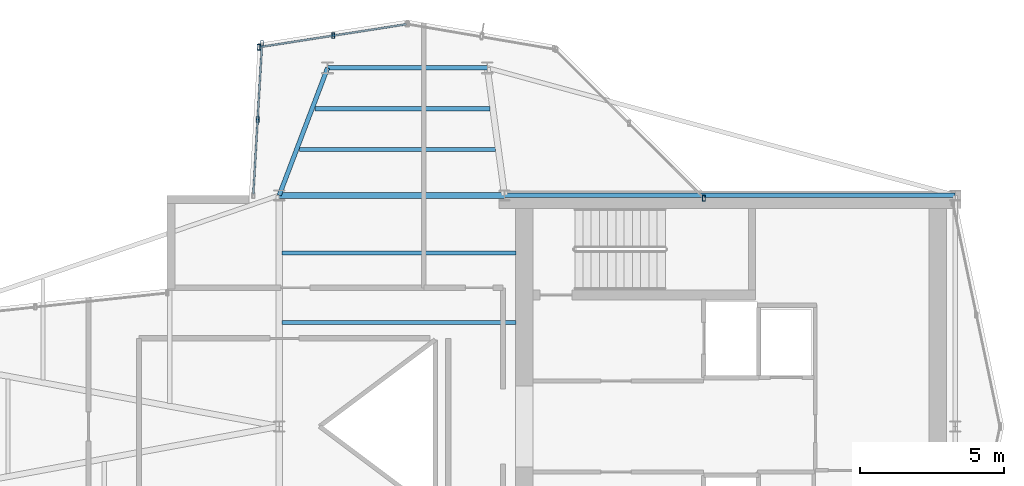
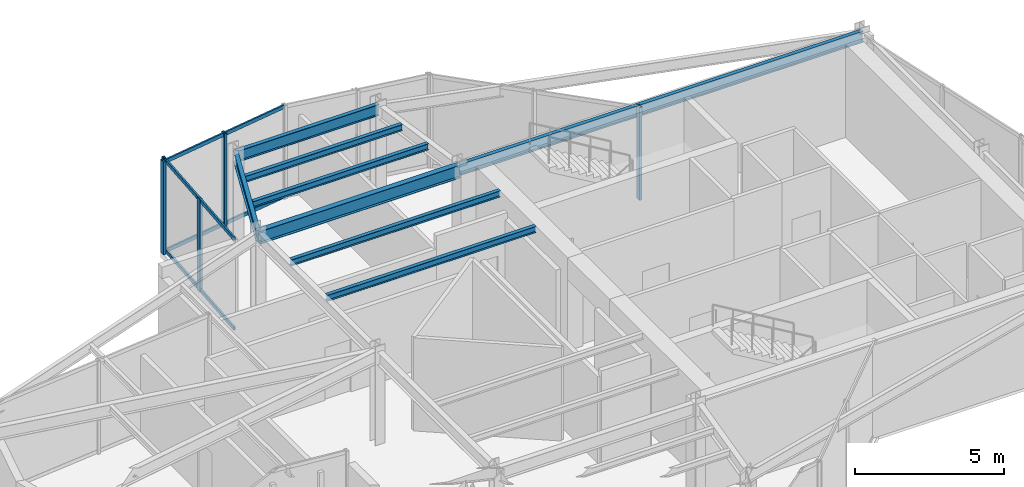
# One storey, part 5 of 13: 9 members, 8 beams, 3 elements without a shape of their own.
"""IFC4 building model written with IfcOpenShell, lengths in metres."""

from ifc_helpers import new_model, si_unit, direction, frame, origin, origin_2d, place, context, subcontext, project, spatial, hollow_rectangle, i_section, extrude, material, layer, layer_set, material_profile, profile_set, type_object, element, aggregate, save


model = new_model("IFC4")

# Units and contexts
model_context = context("Model", 3, precision=1e-05, world=origin(), true_north=direction((0.0, 1.0)))
body_context = subcontext(model_context, "Body", "Model", "MODEL_VIEW")
ifc_project = project(units=[si_unit("LENGTHUNIT", "METRE"), si_unit("AREAUNIT", "SQUARE_METRE"), si_unit("VOLUMEUNIT", "CUBIC_METRE"), si_unit("PLANEANGLEUNIT", "RADIAN"), si_unit("MASSUNIT", "GRAM", prefix="KILO")], contexts=[model_context])

# Site, building, storey
site_placement = place(None, origin())
site = spatial("IfcSite", under=ifc_project, at=site_placement, CompositionType="ELEMENT")
building_placement = place(site_placement, origin())
building = spatial("IfcBuilding", under=site, at=building_placement, Name="Veymaron Broadcast Tower", CompositionType="ELEMENT")
storey_placement = place(building_placement, frame((0.0, 0.0, 303.300048828125)))
storey = spatial("IfcBuildingStorey", under=building, at=storey_placement, Name="L71", CompositionType="ELEMENT", Elevation=303.300048828125)

# Beams
ifc_material_1 = material(Name="Structural steel ASTM A992 Gr 50", Category="steel")
ifc_material_profile_1 = material_profile(ifc_material_1, i_section(OverallWidth=0.208984375, OverallDepth=0.528076171875, WebThickness=0.009521484375, FlangeThickness=0.01318359375, at=origin_2d()), Name="W530X82")
ifc_profile_set_1 = profile_set([ifc_material_profile_1], Name="Structural steel ASTM A992 Gr 50")
beam_type_1 = type_object("IfcBeamType", Name="BM-FG4", PredefinedType="BEAM", material=ifc_profile_set_1)
beam_1_placement = place(storey_placement, frame((31.199951171875, 32.0, 3.5458984375), z_axis=(1.0, 0.0, 0.0), x_axis=(0.0, 1.0, 0.0)))
element("IfcBeam", 1, at=beam_1_placement, inside=storey, type_object=beam_type_1, Name="L71 primary structural floor girder", PredefinedType="BEAM", context=body_context, shape_type="SweptSolid", body=[
    extrude(i_section(OverallWidth=0.208984375, OverallDepth=0.528076171875, WebThickness=0.009521484375, FlangeThickness=0.01318359375, at=origin_2d()), origin(), (0.0, 0.0, 1.0), 7.800048828125),
])
ifc_material_profile_2 = material_profile(ifc_material_1, i_section(OverallWidth=0.14599609375, OverallDepth=0.258056640625, WebThickness=0.006103515625, FlangeThickness=0.009033203125, at=origin_2d()), Name="W250X33")
ifc_profile_set_2 = profile_set([ifc_material_profile_2], Name="Structural steel ASTM A992 Gr 50")
beam_type_2 = type_object("IfcBeamType", Name="BM-JS4", PredefinedType="JOIST", material=ifc_profile_set_2)
beam_2_placement = place(storey_placement, frame((31.90283203125, 33.58837890625, 3.680908203125), z_axis=(1.0, 0.0, 0.0), x_axis=(0.0, 1.0, 0.0)))
element("IfcBeam", 2, at=beam_2_placement, inside=storey, type_object=beam_type_2, Name="L71 Arm-B secondary joist 1", PredefinedType="JOIST", context=body_context, shape_type="SweptSolid", body=[
    extrude(i_section(OverallWidth=0.14599609375, OverallDepth=0.258056640625, WebThickness=0.006103515625, FlangeThickness=0.009033203125, at=origin_2d()), origin(), (0.0, 0.0, 1.0), 6.781982421875),
])
beam_3_placement = place(storey_placement, frame((32.438720703125, 35.000244140625, 3.680908203125), z_axis=(1.0, 0.0, 0.0), x_axis=(0.0, 1.0, 0.0)))
element("IfcBeam", 3, at=beam_3_placement, inside=storey, type_object=beam_type_2, Name="L71 Arm-B secondary joist 2", PredefinedType="JOIST", context=body_context, shape_type="SweptSolid", body=[
    extrude(i_section(OverallWidth=0.14599609375, OverallDepth=0.258056640625, WebThickness=0.006103515625, FlangeThickness=0.009033203125, at=origin_2d()), origin(), (0.0, 0.0, 1.0), 6.0546875),
])
for number, where, z_axis, x_axis, name in (
    (4, (31.300048828125, 27.60009765625, 3.680908203125), (1.0, 0.0, 0.0), (0.0, 1.0, 0.0), "L71 Hub secondary joist 3"),
    (5, (31.300048828125, 30.0, 3.680908203125), (1.0, 0.0, 0.0), (0.0, 1.0, 0.0), "L71 Hub secondary joist 4"),
):
    element("IfcBeam", number, at=place(storey_placement, frame(where, z_axis=z_axis, x_axis=x_axis)), inside=storey, type_object=beam_type_2, Name=name, PredefinedType="JOIST", context=body_context, shape_type="SweptSolid", body=[
        extrude(i_section(OverallWidth=0.14599609375, OverallDepth=0.258056640625, WebThickness=0.006103515625, FlangeThickness=0.009033203125, at=origin_2d()), origin(), (0.0, 0.0, 1.0), 8.099853515625),
    ])
ifc_material_profile_3 = material_profile(ifc_material_1, i_section(OverallWidth=0.154052734375, OverallDepth=0.458984375, WebThickness=0.009033203125, FlangeThickness=0.015380859375, at=origin_2d()), Name="W460X68")
ifc_profile_set_3 = profile_set([ifc_material_profile_3], Name="Structural steel ASTM A992 Gr 50")
beam_type_3 = type_object("IfcBeamType", Name="BM-SP2", PredefinedType="SPANDREL", material=ifc_profile_set_3)
beam_4_placement = place(storey_placement, frame((39.0, 32.0, 3.58056640625), z_axis=(1.0, 0.0, 0.0), x_axis=(0.0, 1.0, 0.0)))
element("IfcBeam", 6, at=beam_4_placement, inside=storey, type_object=beam_type_3, Name="L71 primary structural floor girder", PredefinedType="SPANDREL", context=body_context, shape_type="SweptSolid", body=[
    extrude(i_section(OverallWidth=0.154052734375, OverallDepth=0.458984375, WebThickness=0.009033203125, FlangeThickness=0.015380859375, at=origin_2d()), origin(), (0.0, 0.0, 1.0), 15.60009765625),
])
beam_5_placement = place(storey_placement, frame((31.199951171875, 32.0, 3.58056640625), z_axis=(0.354839811516, 0.934927113824, 0.0), x_axis=(-0.934927113824, 0.354839811516, 0.0)))
element("IfcBeam", 7, at=beam_5_placement, inside=storey, type_object=beam_type_3, Name="L71 primary structural floor girder", PredefinedType="SPANDREL", context=body_context, shape_type="SweptSolid", body=[
    extrude(i_section(OverallWidth=0.154052734375, OverallDepth=0.458984375, WebThickness=0.009033203125, FlangeThickness=0.015380859375, at=origin_2d()), origin(), (0.0, 0.0, 1.0), 4.71923828125),
])
beam_6_placement = place(storey_placement, frame((32.87451171875, 36.412109375, 3.58056640625), z_axis=(1.0, 0.0, 0.0), x_axis=(0.0, 1.0, 0.0)))
element("IfcBeam", 8, at=beam_6_placement, inside=storey, type_object=beam_type_3, Name="L71 primary structural floor girder", PredefinedType="SPANDREL", context=body_context, shape_type="SweptSolid", body=[
    extrude(i_section(OverallWidth=0.154052734375, OverallDepth=0.458984375, WebThickness=0.009033203125, FlangeThickness=0.015380859375, at=origin_2d()), origin(), (0.0, 0.0, 1.0), 5.527587890625),
])

# Curtain wall, member
ifc_material_2 = material(Name="Anodised aluminium AA 6063-T6 and laminated low-E dark glass", Category="aluminium")
ifc_layer = layer(ifc_material_2, 0.179931640625)
ifc_layer_set = layer_set([ifc_layer], Name="Anodised aluminium AA 6063-T6 and laminated low-E dark glass")
curtain_wall_type = type_object("IfcCurtainWallType", Name="CW-SYS-06", PredefinedType="NOTDEFINED", material=ifc_layer_set)
curtain_wall_1_placement = place(storey_placement, origin())
curtain_wall_1 = element("IfcCurtainWall", 9, at=curtain_wall_1_placement, inside=storey, type_object=curtain_wall_type, Name="L71 dark-glass curtain wall CW-L71-E5-1", PredefinedType="NOTDEFINED")
ifc_material_3 = material(Name="Anodised aluminium AA 6063-T6", Category="aluminium")
ifc_material_profile_4 = material_profile(ifc_material_3, hollow_rectangle(XDim=0.10009765625, YDim=0.199951171875, WallThickness=0.010009765625, at=origin_2d()), Name="RHS200X100X10")
ifc_profile_set_4 = profile_set([ifc_material_profile_4], Name="Anodised aluminium AA 6063-T6")
member_type_1 = type_object("IfcMemberType", Name="CW-MUL-01", PredefinedType="MULLION", material=ifc_profile_set_4)
member_1_placement = place(storey_placement, frame((45.900390625, 31.90087890625, 0.0), z_axis=(0.0, 0.0, 1.0), x_axis=(1.0, 0.0, 0.0)))
member_1 = element("IfcMember", 10, at=member_1_placement, type_object=member_type_1, Name="CW-L71-E5-1 mullion 0", PredefinedType="MULLION", context=body_context, shape_type="SweptSolid", body=[
    extrude(hollow_rectangle(XDim=0.10009765625, YDim=0.199951171875, WallThickness=0.010009765625, at=origin_2d()), origin(), (0.0, 0.0, 1.0), 3.81005859375),
])
aggregate(curtain_wall_1, [member_1])

# Curtain wall, members
curtain_wall_2_placement = place(storey_placement, origin())
curtain_wall_2 = element("IfcCurtainWall", 11, at=curtain_wall_2_placement, inside=storey, type_object=curtain_wall_type, Name="L71 dark-glass curtain wall CW-L71-E7-1", PredefinedType="NOTDEFINED")
member_2_placement = place(storey_placement, frame((33.072265625, 37.52880859375, 0.0), z_axis=(0.0, 0.0, 1.0), x_axis=(1.0, 0.0, 0.0)))
member_2 = element("IfcMember", 12, at=member_2_placement, type_object=member_type_1, Name="CW-L71-E7-1 mullion 1", PredefinedType="MULLION", context=body_context, shape_type="SweptSolid", body=[
    extrude(hollow_rectangle(XDim=0.10009765625, YDim=0.199951171875, WallThickness=0.010009765625, at=origin_2d()), origin(), (0.0, 0.0, 1.0), 3.81005859375),
])
member_3_placement = place(storey_placement, frame((30.48583984375, 37.126953125, 0.0), z_axis=(0.0, 0.0, 1.0), x_axis=(1.0, 0.0, 0.0)))
member_3 = element("IfcMember", 13, at=member_3_placement, type_object=member_type_1, Name="CW-L71-E7-1 mullion 2", PredefinedType="MULLION", context=body_context, shape_type="SweptSolid", body=[
    extrude(hollow_rectangle(XDim=0.10009765625, YDim=0.199951171875, WallThickness=0.010009765625, at=origin_2d()), origin(), (0.0, 0.0, 1.0), 3.81005859375),
])

curtain_wall_3_placement = place(storey_placement, origin())
curtain_wall_3 = element("IfcCurtainWall", 14, at=curtain_wall_3_placement, inside=storey, type_object=curtain_wall_type, Name="L71 dark-glass curtain wall CW-L71-E8-1", PredefinedType="NOTDEFINED")
member_4_placement = place(storey_placement, frame((30.60400390625, 37.257080078125, 0.0), z_axis=(0.0, 0.0, 1.0), x_axis=(1.0, 0.0, 0.0)))
member_4 = element("IfcMember", 15, at=member_4_placement, type_object=member_type_1, Name="CW-L71-E8-1 mullion 0", PredefinedType="MULLION", context=body_context, shape_type="SweptSolid", body=[
    extrude(hollow_rectangle(XDim=0.10009765625, YDim=0.199951171875, WallThickness=0.010009765625, at=origin_2d()), origin(), (0.0, 0.0, 1.0), 3.81005859375),
])
member_5_placement = place(storey_placement, frame((30.451904296875, 34.62451171875, 0.0), z_axis=(0.0, 0.0, 1.0), x_axis=(1.0, 0.0, 0.0)))
member_5 = element("IfcMember", 16, at=member_5_placement, type_object=member_type_1, Name="CW-L71-E8-1 mullion 1", PredefinedType="MULLION", context=body_context, shape_type="SweptSolid", body=[
    extrude(hollow_rectangle(XDim=0.10009765625, YDim=0.199951171875, WallThickness=0.010009765625, at=origin_2d()), origin(), (0.0, 0.0, 1.0), 3.81005859375),
])

# Member
ifc_material_profile_5 = material_profile(ifc_material_3, hollow_rectangle(XDim=0.06494140625, YDim=0.14990234375, WallThickness=0.00390625, at=origin_2d()), Name="AL150X65X4")
ifc_profile_set_5 = profile_set([ifc_material_profile_5], Name="Anodised aluminium AA 6063-T6")
member_type_2 = type_object("IfcMemberType", Name="CW-TRN-01", PredefinedType="USERDEFINED", material=ifc_profile_set_5)
member_6_placement = place(storey_placement, frame((35.609375, 37.923095703125, 0.070068359375), z_axis=(-0.988138602753, -0.153564650062, 0.0), x_axis=(0.153564650062, -0.988138602753, 0.0)))
member_6 = element("IfcMember", 17, at=member_6_placement, type_object=member_type_2, Name="CW-L71-E7-1 transom B", ObjectType="TRANSOM", PredefinedType="USERDEFINED", context=body_context, shape_type="SweptSolid", body=[
    extrude(hollow_rectangle(XDim=0.06494140625, YDim=0.14990234375, WallThickness=0.00390625, at=origin_2d()), origin(), (0.0, 0.0, 1.0), 5.135009765625),
])

member_7_placement = place(storey_placement, frame((35.609375, 37.923095703125, 3.739990234375), z_axis=(-0.988138602753, -0.153564650062, 0.0), x_axis=(0.153564650062, -0.988138602753, 0.0)))
member_7 = element("IfcMember", 18, at=member_7_placement, type_object=member_type_2, Name="CW-L71-E7-1 transom T", ObjectType="TRANSOM", PredefinedType="USERDEFINED", context=body_context, shape_type="SweptSolid", body=[
    extrude(hollow_rectangle(XDim=0.06494140625, YDim=0.14990234375, WallThickness=0.00390625, at=origin_2d()), origin(), (0.0, 0.0, 1.0), 5.135009765625),
])

aggregate(curtain_wall_2, [member_2, member_3, member_6, member_7])

member_8_placement = place(storey_placement, frame((30.601318359375, 37.207275390625, 0.070068359375), z_axis=(-0.0577538974, -0.998330850638, 0.0), x_axis=(0.998330850638, -0.0577538974, 0.0)))
member_8 = element("IfcMember", 19, at=member_8_placement, type_object=member_type_2, Name="CW-L71-E8-1 transom B", ObjectType="TRANSOM", PredefinedType="USERDEFINED", context=body_context, shape_type="SweptSolid", body=[
    extrude(hollow_rectangle(XDim=0.06494140625, YDim=0.14990234375, WallThickness=0.00390625, at=origin_2d()), origin(), (0.0, 0.0, 1.0), 5.174072265625),
])

member_9_placement = place(storey_placement, frame((30.601318359375, 37.207275390625, 3.739990234375), z_axis=(-0.0577538974, -0.998330850638, 0.0), x_axis=(0.998330850638, -0.0577538974, 0.0)))
member_9 = element("IfcMember", 20, at=member_9_placement, type_object=member_type_2, Name="CW-L71-E8-1 transom T", ObjectType="TRANSOM", PredefinedType="USERDEFINED", context=body_context, shape_type="SweptSolid", body=[
    extrude(hollow_rectangle(XDim=0.06494140625, YDim=0.14990234375, WallThickness=0.00390625, at=origin_2d()), origin(), (0.0, 0.0, 1.0), 5.174072265625),
])

aggregate(curtain_wall_3, [member_4, member_5, member_8, member_9])

save(model, "model.ifc")
